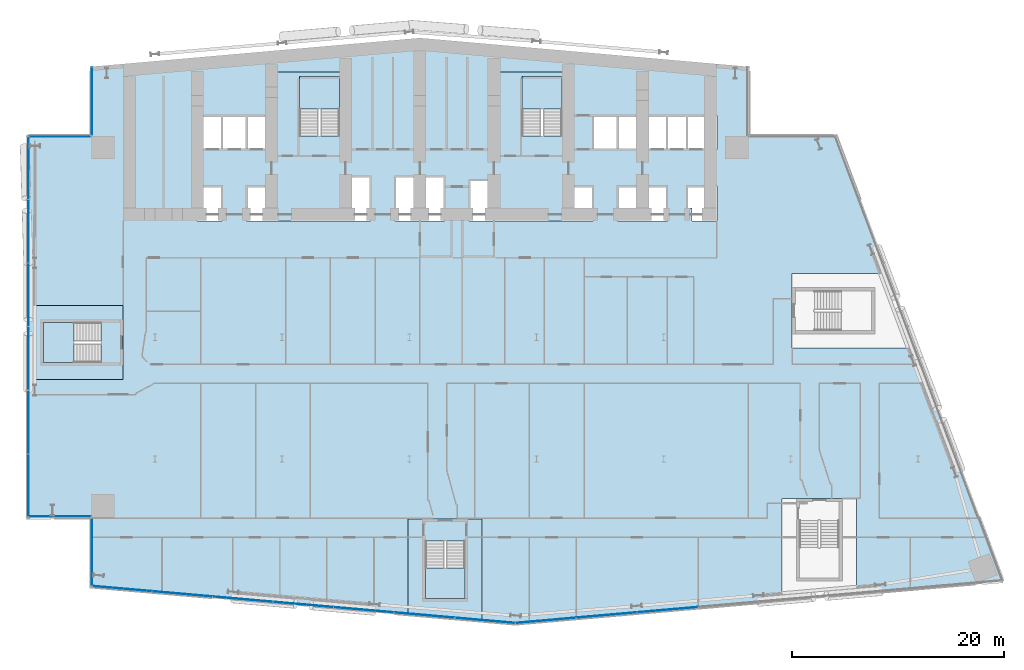
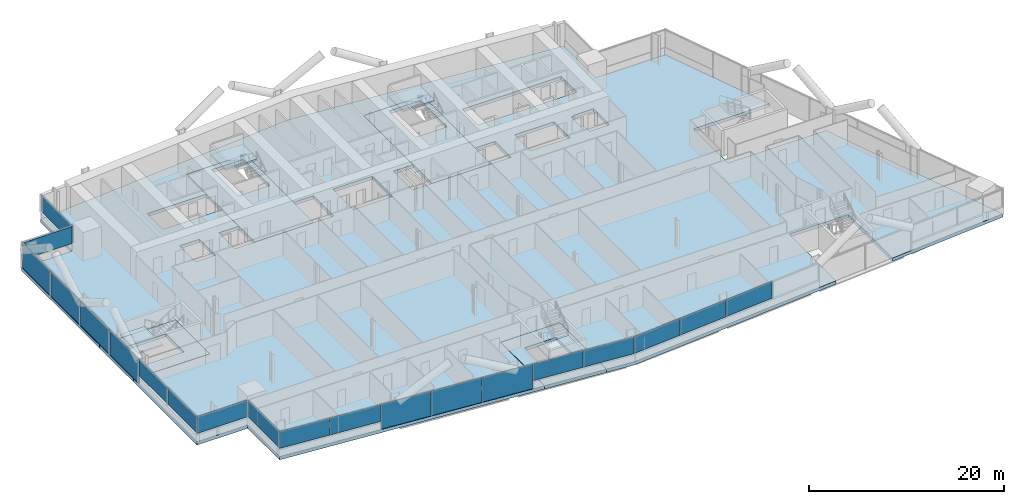
# One storey, part 11 of 28: 20 plates, 9 slabs, 11 elements without a shape of their own.
"""IFC4 building model written with IfcOpenShell, lengths in metres."""

from ifc_helpers import new_model, si_unit, direction, frame, origin, origin_2d, place, context, subcontext, project, spatial, polyline, rectangle, outline, extrude, material, layer, layer_set, type_object, element, aggregate, save


model = new_model("IFC4")

# Units and contexts
model_context = context("Model", 3, precision=1e-05, world=origin(), true_north=direction((0.0, 1.0)))
body_context = subcontext(model_context, "Body", "Model", "MODEL_VIEW")
ifc_project = project(units=[si_unit("LENGTHUNIT", "METRE"), si_unit("AREAUNIT", "SQUARE_METRE"), si_unit("VOLUMEUNIT", "CUBIC_METRE"), si_unit("PLANEANGLEUNIT", "RADIAN"), si_unit("MASSUNIT", "GRAM", prefix="KILO")], contexts=[model_context])

# Site, building, storey
site_placement = place(None, origin())
site = spatial("IfcSite", under=ifc_project, at=site_placement, CompositionType="ELEMENT")
building_placement = place(site_placement, origin())
building = spatial("IfcBuilding", under=site, at=building_placement, Name="Wharfspan Tower", CompositionType="ELEMENT")
storey_placement = place(building_placement, frame((0.0, 0.0, 52.300049)))
storey = spatial("IfcBuildingStorey", under=building, at=storey_placement, Name="L09", CompositionType="ELEMENT", Elevation=52.300049)

# Curtain wall, plates
ifc_material_1 = material(Name="Aluminium 6063-T6", Category="aluminium")
curtain_wall_type_1 = type_object("IfcCurtainWallType", Name="CURTAIN WALL FACETED FRONT", PredefinedType="NOTDEFINED", material=ifc_material_1)
curtain_wall_1_placement = place(storey_placement, origin())
curtain_wall_1 = element("IfcCurtainWall", 1, at=curtain_wall_1_placement, inside=storey, type_object=curtain_wall_type_1, Name="Curtain wall S1", PredefinedType="NOTDEFINED")
ifc_material_2 = material(Name="Glass clear low-iron double glazing", Category="glass")
ifc_layer_1 = layer(ifc_material_2, 0.040039)
ifc_layer_set_1 = layer_set([ifc_layer_1], Name="Glass clear low-iron double glazing")
plate_type_1 = type_object("IfcPlateType", Name="GLASS PANEL FACETED FRONT 40", PredefinedType="CURTAIN_PANEL", material=ifc_layer_set_1)
plate_1_placement = place(storey_placement, frame((8.877197, -0.716553, 1.0), z_axis=(0.0, 0.0, 1.0), x_axis=(0.996197, -0.087156, 0.0)))
plate_1 = element("IfcPlate", 2, at=plate_1_placement, type_object=plate_type_1, Name="Curtain wall S1 panel 1", PredefinedType="CURTAIN_PANEL", context=body_context, shape_type="SweptSolid", body=[
    extrude(rectangle(XDim=5.645996, YDim=0.040039, at=origin_2d()), origin(), (0.0, 0.0, 1.0), 2.120117),
])
plate_2_placement = place(storey_placement, frame((14.57666, -1.215088, 1.0), z_axis=(0.0, 0.0, 1.0), x_axis=(0.996197, -0.087156, 0.0)))
plate_2 = element("IfcPlate", 3, at=plate_2_placement, type_object=plate_type_1, Name="Curtain wall S1 panel 2", PredefinedType="CURTAIN_PANEL", context=body_context, shape_type="SweptSolid", body=[
    extrude(rectangle(XDim=5.676025, YDim=0.040039, at=origin_2d()), origin(), (0.0, 0.0, 1.0), 2.120117),
])
plate_3_placement = place(storey_placement, frame((37.433838, -3.214844, 1.0), z_axis=(0.0, 0.0, 1.0), x_axis=(0.996197, -0.087156, 0.0)))
plate_3 = element("IfcPlate", 4, at=plate_3_placement, type_object=plate_type_1, Name="Curtain wall S1 panel 6", PredefinedType="CURTAIN_PANEL", context=body_context, shape_type="SweptSolid", body=[
    extrude(rectangle(XDim=5.676025, YDim=0.040039, at=origin_2d()), origin(), (0.0, 0.0, 1.0), 2.120117),
])
plate_4_placement = place(storey_placement, frame((43.133057, -3.713379, 1.0), z_axis=(0.0, 0.0, 1.0), x_axis=(0.996197, -0.087156, 0.0)))
plate_4 = element("IfcPlate", 5, at=plate_4_placement, type_object=plate_type_1, Name="Curtain wall S1 panel 7", PredefinedType="CURTAIN_PANEL", context=body_context, shape_type="SweptSolid", body=[
    extrude(rectangle(XDim=5.645996, YDim=0.040039, at=origin_2d()), origin(), (0.0, 0.0, 1.0), 2.120117),
])

curtain_wall_2_placement = place(storey_placement, origin())
curtain_wall_2 = element("IfcCurtainWall", 6, at=curtain_wall_2_placement, inside=storey, type_object=curtain_wall_type_1, Name="Curtain wall S2", PredefinedType="NOTDEFINED")
plate_5_placement = place(storey_placement, frame((48.884766, -3.711914, 1.0), z_axis=(0.0, 0.0, 1.0), x_axis=(0.996197, 0.087156, 0.0)))
plate_5 = element("IfcPlate", 7, at=plate_5_placement, type_object=plate_type_1, Name="Curtain wall S2 panel 1", PredefinedType="CURTAIN_PANEL", context=body_context, shape_type="SweptSolid", body=[
    extrude(rectangle(XDim=5.681885, YDim=0.040039, at=origin_2d()), origin(), (0.0, 0.0, 1.0), 2.120117),
])
plate_6_placement = place(storey_placement, frame((54.619873, -3.210205, 1.0), z_axis=(0.0, 0.0, 1.0), x_axis=(0.996197, 0.087156, 0.0)))
plate_6 = element("IfcPlate", 8, at=plate_6_placement, type_object=plate_type_1, Name="Curtain wall S2 panel 2", PredefinedType="CURTAIN_PANEL", context=body_context, shape_type="SweptSolid", body=[
    extrude(rectangle(XDim=5.711914, YDim=0.040039, at=origin_2d()), origin(), (0.0, 0.0, 1.0), 2.120117),
])
plate_7_placement = place(storey_placement, frame((60.369873, -2.707031, 1.0), z_axis=(0.0, 0.0, 1.0), x_axis=(0.996197, 0.087156, 0.0)))
plate_7 = element("IfcPlate", 9, at=plate_7_placement, type_object=plate_type_1, Name="Curtain wall S2 panel 3", PredefinedType="CURTAIN_PANEL", context=body_context, shape_type="SweptSolid", body=[
    extrude(rectangle(XDim=5.711914, YDim=0.040039, at=origin_2d()), origin(), (0.0, 0.0, 1.0), 2.120117),
])
aggregate(curtain_wall_2, [plate_5, plate_6, plate_7])

# Curtain wall, plate
curtain_wall_type_2 = type_object("IfcCurtainWallType", Name="CURTAIN WALL PROW AND END", PredefinedType="NOTDEFINED", material=ifc_material_1)
curtain_wall_3_placement = place(storey_placement, origin())
curtain_wall_3 = element("IfcCurtainWall", 10, at=curtain_wall_3_placement, inside=storey, type_object=curtain_wall_type_2, Name="Curtain wall NRW-V", PredefinedType="NOTDEFINED")
ifc_layer_2 = layer(ifc_material_2, 0.040039)
ifc_layer_set_2 = layer_set([ifc_layer_2], Name="Glass clear low-iron double glazing")
plate_type_2 = type_object("IfcPlateType", Name="GLASS PANEL PROW AND END 40", PredefinedType="CURTAIN_PANEL", material=ifc_layer_set_2)
plate_8_placement = place(storey_placement, frame((6.080078, 45.262451, 1.0), z_axis=(0.0, 0.0, 1.0), x_axis=(0.0, -1.0, 0.0)))
plate_8 = element("IfcPlate", 11, at=plate_8_placement, type_object=plate_type_2, Name="Curtain wall NRW-V panel 1", PredefinedType="CURTAIN_PANEL", context=body_context, shape_type="SweptSolid", body=[
    extrude(rectangle(XDim=6.405029, YDim=0.040039, at=origin_2d()), origin(), (0.0, 0.0, 1.0), 2.120117),
])
aggregate(curtain_wall_3, [plate_8])

curtain_wall_4_placement = place(storey_placement, origin())
curtain_wall_4 = element("IfcCurtainWall", 12, at=curtain_wall_4_placement, inside=storey, type_object=curtain_wall_type_2, Name="Curtain wall NRW-H", PredefinedType="NOTDEFINED")
plate_9_placement = place(storey_placement, frame((3.0, 41.919922, 1.0), z_axis=(0.0, 0.0, 1.0), x_axis=(-1.0, 0.0, 0.0)))
plate_9 = element("IfcPlate", 13, at=plate_9_placement, type_object=plate_type_2, Name="Curtain wall NRW-H panel 1", PredefinedType="CURTAIN_PANEL", context=body_context, shape_type="SweptSolid", body=[
    extrude(rectangle(XDim=5.879883, YDim=0.040039, at=origin_2d()), origin(), (0.0, 0.0, 1.0), 2.120117),
])
aggregate(curtain_wall_4, [plate_9])

# Curtain wall, plates
curtain_wall_5_placement = place(storey_placement, origin())
curtain_wall_5 = element("IfcCurtainWall", 14, at=curtain_wall_5_placement, inside=storey, type_object=curtain_wall_type_2, Name="Curtain wall W", PredefinedType="NOTDEFINED")
plate_10_placement = place(storey_placement, frame((0.080078, 15.0, 1.0), z_axis=(0.0, 0.0, 1.0), x_axis=(0.0, -1.0, 0.0)))
plate_10 = element("IfcPlate", 15, at=plate_10_placement, type_object=plate_type_2, Name="Curtain wall W panel 5", PredefinedType="CURTAIN_PANEL", context=body_context, shape_type="SweptSolid", body=[
    extrude(rectangle(XDim=5.939941, YDim=0.040039, at=origin_2d()), origin(), (0.0, 0.0, 1.0), 2.120117),
])
plate_11_placement = place(storey_placement, frame((0.080078, 9.014893, 1.0), z_axis=(0.0, 0.0, 1.0), x_axis=(0.0, -1.0, 0.0)))
plate_11 = element("IfcPlate", 16, at=plate_11_placement, type_object=plate_type_2, Name="Curtain wall W panel 6", PredefinedType="CURTAIN_PANEL", context=body_context, shape_type="SweptSolid", body=[
    extrude(rectangle(XDim=5.909912, YDim=0.040039, at=origin_2d()), origin(), (0.0, 0.0, 1.0), 2.120117),
])

# Curtain wall, plate
curtain_wall_6_placement = place(storey_placement, origin())
curtain_wall_6 = element("IfcCurtainWall", 17, at=curtain_wall_6_placement, inside=storey, type_object=curtain_wall_type_2, Name="Curtain wall NFW-H", PredefinedType="NOTDEFINED")
plate_12_placement = place(storey_placement, frame((3.0, 6.080078, 1.0), z_axis=(0.0, 0.0, 1.0), x_axis=(1.0, 0.0, 0.0)))
plate_12 = element("IfcPlate", 18, at=plate_12_placement, type_object=plate_type_2, Name="Curtain wall NFW-H panel 1", PredefinedType="CURTAIN_PANEL", context=body_context, shape_type="SweptSolid", body=[
    extrude(rectangle(XDim=5.879883, YDim=0.040039, at=origin_2d()), origin(), (0.0, 0.0, 1.0), 2.120117),
])
aggregate(curtain_wall_6, [plate_12])

curtain_wall_7_placement = place(storey_placement, origin())
curtain_wall_7 = element("IfcCurtainWall", 19, at=curtain_wall_7_placement, inside=storey, type_object=curtain_wall_type_2, Name="Curtain wall NFW-V", PredefinedType="NOTDEFINED")
plate_13_placement = place(storey_placement, frame((6.080078, 2.737549, 1.0), z_axis=(0.0, 0.0, 1.0), x_axis=(0.0, -1.0, 0.0)))
plate_13 = element("IfcPlate", 20, at=plate_13_placement, type_object=plate_type_2, Name="Curtain wall NFW-V panel 1", PredefinedType="CURTAIN_PANEL", context=body_context, shape_type="SweptSolid", body=[
    extrude(rectangle(XDim=6.405029, YDim=0.040039, at=origin_2d()), origin(), (0.0, 0.0, 1.0), 2.120117),
])
aggregate(curtain_wall_7, [plate_13])

# Plate
ifc_material_3 = material(Name="Aluminium composite opaque insulated panel", Category="aluminium")
ifc_layer_3 = layer(ifc_material_3, 0.040039)
ifc_layer_set_3 = layer_set([ifc_layer_3], Name="Aluminium composite opaque insulated panel")
plate_type_3 = type_object("IfcPlateType", Name="INFILL PANEL FACETED FRONT OPAQUE 40", PredefinedType="SHEET", material=ifc_layer_set_3)
plate_14_placement = place(storey_placement, frame((20.291016, -1.715088, 0.0), z_axis=(0.0, 0.0, 1.0), x_axis=(0.996197, -0.087156, 0.0)))
plate_14 = element("IfcPlate", 21, at=plate_14_placement, type_object=plate_type_3, Name="Curtain wall S1 panel 3", PredefinedType="SHEET", context=body_context, shape_type="SweptSolid", body=[
    extrude(rectangle(XDim=5.676025, YDim=0.040039, at=origin_2d()), origin(), (0.0, 0.0, 1.0), 3.120117),
])

plate_15_placement = place(storey_placement, frame((26.005127, -2.214844, 0.0), z_axis=(0.0, 0.0, 1.0), x_axis=(0.996197, -0.087156, 0.0)))
plate_15 = element("IfcPlate", 22, at=plate_15_placement, type_object=plate_type_3, Name="Curtain wall S1 panel 4", PredefinedType="SHEET", context=body_context, shape_type="SweptSolid", body=[
    extrude(rectangle(XDim=5.676025, YDim=0.040039, at=origin_2d()), origin(), (0.0, 0.0, 1.0), 3.120117),
])

plate_16_placement = place(storey_placement, frame((31.719482, -2.714844, 0.0), z_axis=(0.0, 0.0, 1.0), x_axis=(0.996197, -0.087156, 0.0)))
plate_16 = element("IfcPlate", 23, at=plate_16_placement, type_object=plate_type_3, Name="Curtain wall S1 panel 5", PredefinedType="SHEET", context=body_context, shape_type="SweptSolid", body=[
    extrude(rectangle(XDim=5.676025, YDim=0.040039, at=origin_2d()), origin(), (0.0, 0.0, 1.0), 3.120117),
])

aggregate(curtain_wall_1, [plate_1, plate_2, plate_14, plate_15, plate_16, plate_3, plate_4])

ifc_layer_4 = layer(ifc_material_3, 0.040039)
ifc_layer_set_4 = layer_set([ifc_layer_4], Name="Aluminium composite opaque insulated panel")
plate_type_4 = type_object("IfcPlateType", Name="INFILL PANEL PROW AND END OPAQUE 40", PredefinedType="SHEET", material=ifc_layer_set_4)
plate_17_placement = place(storey_placement, frame((0.080078, 38.985107, 0.0), z_axis=(0.0, 0.0, 1.0), x_axis=(0.0, -1.0, 0.0)))
plate_17 = element("IfcPlate", 24, at=plate_17_placement, type_object=plate_type_4, Name="Curtain wall W panel 1", PredefinedType="SHEET", context=body_context, shape_type="SweptSolid", body=[
    extrude(rectangle(XDim=5.909912, YDim=0.040039, at=origin_2d()), origin(), (0.0, 0.0, 1.0), 3.120117),
])

plate_18_placement = place(storey_placement, frame((0.080078, 33.0, 0.0), z_axis=(0.0, 0.0, 1.0), x_axis=(0.0, -1.0, 0.0)))
plate_18 = element("IfcPlate", 25, at=plate_18_placement, type_object=plate_type_4, Name="Curtain wall W panel 2", PredefinedType="SHEET", context=body_context, shape_type="SweptSolid", body=[
    extrude(rectangle(XDim=5.939941, YDim=0.040039, at=origin_2d()), origin(), (0.0, 0.0, 1.0), 3.120117),
])

plate_19_placement = place(storey_placement, frame((0.080078, 27.0, 0.0), z_axis=(0.0, 0.0, 1.0), x_axis=(0.0, -1.0, 0.0)))
plate_19 = element("IfcPlate", 26, at=plate_19_placement, type_object=plate_type_4, Name="Curtain wall W panel 3", PredefinedType="SHEET", context=body_context, shape_type="SweptSolid", body=[
    extrude(rectangle(XDim=5.939941, YDim=0.040039, at=origin_2d()), origin(), (0.0, 0.0, 1.0), 3.120117),
])

plate_20_placement = place(storey_placement, frame((0.080078, 21.0, 0.0), z_axis=(0.0, 0.0, 1.0), x_axis=(0.0, -1.0, 0.0)))
plate_20 = element("IfcPlate", 27, at=plate_20_placement, type_object=plate_type_4, Name="Curtain wall W panel 4", PredefinedType="SHEET", context=body_context, shape_type="SweptSolid", body=[
    extrude(rectangle(XDim=5.939941, YDim=0.040039, at=origin_2d()), origin(), (0.0, 0.0, 1.0), 3.120117),
])

aggregate(curtain_wall_5, [plate_17, plate_18, plate_19, plate_20, plate_10, plate_11])

# Slabs
ifc_material_4 = material(Name="Concrete C40/50", Category="concrete")
ifc_layer_5 = layer(ifc_material_4, 0.399902)
ifc_layer_set_5 = layer_set([ifc_layer_5], Name="Concrete C40/50")
slab_type_1 = type_object("IfcSlabType", Name="Post-tensioned flat slab 400", PredefinedType="FLOOR", material=ifc_layer_set_5)
slab_1_placement = place(storey_placement, frame((0.0, 0.0, -0.400146)))
element("IfcSlab", 28, at=slab_1_placement, inside=storey, type_object=slab_type_1, Name="Floor slab L09", PredefinedType="FLOOR", context=body_context, shape_type="SweptSolid", body=[
    extrude(outline(polyline([(35.873291, -3.138428), (35.873291, 5.870605), (42.893311, 5.870605), (42.893311, -3.752686), (46.0, -4.024414), (71.182617, -1.821289), (71.182617, 7.802002), (78.202393, 7.802002), (78.202393, -1.207031), (92.0, 0.0), (83.753662, 21.98999), (72.11499, 21.98999), (72.11499, 29.01001), (81.121338, 29.01001), (76.25, 42.0), (68.0, 42.0), (68.0, 48.524902), (37.0, 51.237061), (6.0, 48.524902), (6.0, 42.0), (0.0, 42.0), (0.0, 26.01001), (9.01001, 26.01001), (9.01001, 18.98999), (0.0, 18.98999), (0.0, 6.0), (6.0, 6.0), (6.0, -0.524902), (35.873291, -3.138428)]), holes=[polyline([(62.290039, 37.159912), (62.656738, 37.159912), (62.656738, 37.26001), (65.01001, 37.26001), (65.01001, 33.98999), (62.656738, 33.98999), (62.656738, 35.189941), (62.290039, 35.189941), (62.290039, 37.159912)]), polyline([(65.01001, 43.909912), (65.01001, 40.689941), (53.323242, 40.689941), (53.323242, 43.909912), (65.01001, 43.909912)]), polyline([(55.656738, 33.98999), (55.656738, 37.26001), (60.343262, 37.26001), (60.343262, 33.98999), (55.656738, 33.98999)]), polyline([(43.98999, 37.860107), (43.98999, 48.01001), (51.01001, 48.01001), (51.01001, 37.26001), (53.343262, 37.26001), (53.343262, 33.98999), (41.656738, 33.98999), (41.656738, 37.860107), (43.98999, 37.860107)]), polyline([(34.656738, 33.98999), (34.656738, 38.159912), (39.343262, 38.159912), (39.343262, 33.98999), (34.656738, 33.98999)]), polyline([(15.98999, 40.689941), (15.98999, 43.909912), (20.656738, 43.909912), (20.676758, 43.909912), (22.98999, 43.909912), (22.98999, 48.01001), (30.01001, 48.01001), (30.01001, 38.159912), (32.343262, 38.159912), (32.343262, 33.98999), (20.656738, 33.98999), (20.656738, 37.26001), (22.98999, 37.26001), (22.98999, 40.689941), (20.676758, 40.689941), (20.656738, 40.689941), (15.98999, 40.689941)]), polyline([(18.343262, 37.26001), (18.343262, 33.98999), (15.98999, 33.98999), (15.98999, 37.26001), (18.343262, 37.26001)])]), origin(), (0.0, 0.0, 1.0), 0.400146),
])
slab_2_placement = place(storey_placement, frame((0.0, 0.0, -0.400146)))
element("IfcSlab", 29, at=slab_2_placement, inside=storey, type_object=slab_type_1, Name="Core floor slab L09 part 1", PredefinedType="FLOOR", context=body_context, shape_type="SweptSolid", body=[
    extrude(outline(polyline([(9.0, 20.324951), (9.0, 24.675049), (9.0, 26.0), (0.0, 26.0), (0.0, 19.0), (9.0, 19.0), (9.0, 20.324951)]), holes=[polyline([(6.9021, 20.625), (6.9021, 20.624756), (6.9021, 20.624512), (6.901855, 20.624512), (6.901855, 20.624268), (6.901855, 20.624023), (6.901611, 20.623779), (6.901611, 20.623779), (6.901367, 20.623535), (6.901367, 20.623535), (6.901123, 20.623291), (6.900879, 20.623291), (6.900879, 20.623291), (6.900635, 20.623047), (6.900391, 20.623047), (6.900146, 20.623047), (6.899902, 20.623047), (1.5, 20.623047), (1.499756, 20.623047), (1.499512, 20.623047), (1.499512, 20.623047), (1.499268, 20.623291), (1.499023, 20.623291), (1.498779, 20.623291), (1.498779, 20.623535), (1.498535, 20.623535), (1.498535, 20.623779), (1.498291, 20.623779), (1.498291, 20.624023), (1.498291, 20.624268), (1.498047, 20.624512), (1.498047, 20.624512), (1.498047, 20.624756), (1.498047, 20.625), (1.498047, 24.375), (1.498047, 24.375244), (1.498047, 24.375488), (1.498047, 24.375488), (1.498291, 24.375732), (1.498291, 24.375977), (1.498291, 24.376221), (1.498535, 24.376221), (1.498535, 24.376465), (1.498779, 24.376465), (1.498779, 24.376709), (1.499023, 24.376709), (1.499268, 24.376709), (1.499512, 24.376953), (1.499512, 24.376953), (1.499756, 24.376953), (1.5, 24.376953), (6.899902, 24.376953), (6.900146, 24.376953), (6.900391, 24.376953), (6.900635, 24.376953), (6.900879, 24.376709), (6.900879, 24.376709), (6.901123, 24.376709), (6.901367, 24.376465), (6.901367, 24.376465), (6.901611, 24.376221), (6.901611, 24.376221), (6.901855, 24.375977), (6.901855, 24.375732), (6.901855, 24.375488), (6.9021, 24.375488), (6.9021, 24.375244), (6.9021, 24.375), (6.9021, 20.625)])]), origin(), (0.0, 0.0, 1.0), 0.400146),
])
slab_3_placement = place(storey_placement, frame((0.0, 0.0, -0.400146)))
element("IfcSlab", 30, at=slab_3_placement, inside=storey, type_object=slab_type_1, Name="Core floor slab L09 part 2", PredefinedType="FLOOR", context=body_context, shape_type="SweptSolid", body=[
    extrude(outline(polyline([(20.664795, 34.0), (20.664795, 37.25), (20.664795, 37.250244), (20.664795, 37.250488), (20.664795, 37.250488), (20.664795, 37.250732), (20.664795, 37.250977), (20.665039, 37.251221), (20.665039, 37.251221), (20.665283, 37.251465), (20.665283, 37.251465), (20.665527, 37.251709), (20.665771, 37.251709), (20.666016, 37.251709), (20.666016, 37.251953), (20.66626, 37.251953), (20.666504, 37.251953), (20.666748, 37.251953), (23.0, 37.251953), (23.000244, 37.251953), (23.000488, 37.251953), (23.000488, 37.251953), (23.000732, 37.251709), (23.000977, 37.251709), (23.001221, 37.251709), (23.001221, 37.251465), (23.001465, 37.251465), (23.001465, 37.251221), (23.001709, 37.251221), (23.001709, 37.250977), (23.001709, 37.250732), (23.001953, 37.250488), (23.001953, 37.250488), (23.001953, 37.250244), (23.001953, 37.25), (23.001953, 34.0), (29.998047, 34.0), (29.998047, 38.149902), (29.998047, 38.150146), (29.998047, 38.150391), (29.998047, 38.150635), (29.998291, 38.150879), (29.998291, 38.150879), (29.998291, 38.151123), (29.998535, 38.151367), (29.998535, 38.151367), (29.998779, 38.151611), (29.998779, 38.151611), (29.999023, 38.151855), (29.999268, 38.151855), (29.999512, 38.151855), (29.999512, 38.1521), (29.999756, 38.1521), (30.0, 38.1521), (32.333252, 38.1521), (32.333496, 38.1521), (32.33374, 38.1521), (32.333984, 38.151855), (32.333984, 38.151855), (32.334229, 38.151855), (32.334473, 38.151611), (32.334717, 38.151611), (32.334717, 38.151367), (32.334961, 38.151367), (32.334961, 38.151123), (32.335205, 38.150879), (32.335205, 38.150879), (32.335205, 38.150635), (32.335205, 38.150391), (32.335205, 38.150146), (32.335205, 38.149902), (32.335205, 34.0), (32.341309, 34.0), (32.341309, 38.157959), (30.01001, 38.157959), (30.009766, 38.157959), (30.009521, 38.157959), (30.009521, 38.158203), (30.009277, 38.158203), (30.009033, 38.158203), (30.008789, 38.158203), (30.008789, 38.158447), (30.008545, 38.158691), (30.008545, 38.158691), (30.008301, 38.158936), (30.008301, 38.15918), (30.008301, 38.15918), (30.008057, 38.159424), (30.008057, 38.159668), (30.008057, 38.159912), (30.008057, 38.159912), (30.008057, 48.008057), (22.991943, 48.008057), (22.991943, 43.909912), (22.991943, 43.909912), (22.991943, 43.909668), (22.991943, 43.909424), (22.991699, 43.90918), (22.991699, 43.90918), (22.991699, 43.908936), (22.991455, 43.908691), (22.991455, 43.908691), (22.991211, 43.908447), (22.991211, 43.908203), (22.990967, 43.908203), (22.990723, 43.908203), (22.990479, 43.908203), (22.990479, 43.907959), (22.990234, 43.907959), (22.98999, 43.907959), (15.991943, 43.907959), (15.991943, 40.691895), (22.98999, 40.691895), (22.990234, 40.691895), (22.990479, 40.691895), (22.990479, 40.691895), (22.990723, 40.691895), (22.990967, 40.691895), (22.991211, 40.69165), (22.991211, 40.691406), (22.991455, 40.691406), (22.991455, 40.691406), (22.991699, 40.691162), (22.991699, 40.690918), (22.991699, 40.690918), (22.991943, 40.690674), (22.991943, 40.69043), (22.991943, 40.690186), (22.991943, 40.689941), (22.991943, 37.26001), (22.991943, 37.259766), (22.991943, 37.259521), (22.991943, 37.259521), (22.991699, 37.259277), (22.991699, 37.259033), (22.991699, 37.258789), (22.991455, 37.258789), (22.991455, 37.258545), (22.991211, 37.258545), (22.991211, 37.258301), (22.990967, 37.258301), (22.990723, 37.258301), (22.990479, 37.258057), (22.990479, 37.258057), (22.990234, 37.258057), (22.98999, 37.258057), (20.658691, 37.258057), (20.658691, 34.0), (20.664795, 34.0)]), holes=[polyline([(29.4021, 42.0), (29.4021, 41.999756), (29.4021, 41.999512), (29.401855, 41.999512), (29.401855, 41.999268), (29.401855, 41.999023), (29.401611, 41.998779), (29.401611, 41.998779), (29.401367, 41.998535), (29.401367, 41.998535), (29.401123, 41.998291), (29.400879, 41.998291), (29.400879, 41.998291), (29.400635, 41.998047), (29.400391, 41.998047), (29.400146, 41.998047), (29.399902, 41.998047), (25.649902, 41.998047), (25.649902, 41.998047), (25.649658, 41.998047), (25.649414, 41.998047), (25.64917, 41.998291), (25.64917, 41.998291), (25.648926, 41.998291), (25.648682, 41.998535), (25.648682, 41.998535), (25.648438, 41.998779), (25.648193, 41.998779), (25.648193, 41.999023), (25.648193, 41.999268), (25.648193, 41.999512), (25.647949, 41.999512), (25.647949, 41.999756), (25.647949, 42.0), (25.647949, 47.399902), (25.647949, 47.400146), (25.647949, 47.400391), (25.648193, 47.400635), (25.648193, 47.400879), (25.648193, 47.400879), (25.648193, 47.401123), (25.648438, 47.401367), (25.648682, 47.401367), (25.648682, 47.401611), (25.648926, 47.401611), (25.64917, 47.401855), (25.64917, 47.401855), (25.649414, 47.401855), (25.649658, 47.4021), (25.649902, 47.4021), (25.649902, 47.4021), (29.399902, 47.4021), (29.400146, 47.4021), (29.400391, 47.4021), (29.400635, 47.401855), (29.400879, 47.401855), (29.400879, 47.401855), (29.401123, 47.401611), (29.401367, 47.401611), (29.401367, 47.401367), (29.401611, 47.401367), (29.401611, 47.401123), (29.401855, 47.400879), (29.401855, 47.400879), (29.401855, 47.400635), (29.4021, 47.400391), (29.4021, 47.400146), (29.4021, 47.399902), (29.4021, 42.0)]), polyline([(16.0, 40.697998), (15.999756, 40.697998), (15.999512, 40.697998), (15.999512, 40.697998), (15.999268, 40.698242), (15.999023, 40.698242), (15.998779, 40.698242), (15.998779, 40.698486), (15.998535, 40.698486), (15.998535, 40.69873), (15.998291, 40.698975), (15.998291, 40.699219), (15.998291, 40.699219), (15.998047, 40.699463), (15.998047, 40.699707), (15.998047, 40.699707), (15.998047, 40.699951), (15.998047, 43.899902), (15.998047, 43.900146), (15.998047, 43.900391), (15.998047, 43.900635), (15.998291, 43.900879), (15.998291, 43.900879), (15.998291, 43.901123), (15.998535, 43.901367), (15.998535, 43.901367), (15.998779, 43.901611), (15.998779, 43.901611), (15.999023, 43.901855), (15.999268, 43.901855), (15.999512, 43.901855), (15.999512, 43.9021), (15.999756, 43.9021), (16.0, 43.9021), (20.666748, 43.9021), (20.666748, 43.9021), (23.0, 43.9021), (23.000244, 43.9021), (23.000488, 43.9021), (23.000488, 43.901855), (23.000732, 43.901855), (23.000977, 43.901855), (23.001221, 43.901611), (23.001221, 43.901611), (23.001465, 43.901367), (23.001465, 43.901367), (23.001709, 43.901123), (23.001709, 43.900879), (23.001709, 43.900879), (23.001953, 43.900635), (23.001953, 43.900391), (23.001953, 43.900146), (23.001953, 43.899902), (23.001953, 40.699951), (23.001953, 40.699707), (23.001953, 40.699707), (23.001953, 40.699463), (23.001709, 40.699219), (23.001709, 40.699219), (23.001709, 40.698975), (23.001465, 40.69873), (23.001465, 40.698486), (23.001221, 40.698486), (23.001221, 40.698242), (23.000977, 40.698242), (23.000732, 40.698242), (23.000488, 40.697998), (23.000488, 40.697998), (23.000244, 40.697998), (23.0, 40.697998), (20.666748, 40.697998), (20.666748, 40.697998), (16.0, 40.697998)])]), origin(), (0.0, 0.0, 1.0), 0.400146),
])
slab_4_placement = place(storey_placement, frame((0.0, 0.0, -0.400146)))
element("IfcSlab", 31, at=slab_4_placement, inside=storey, type_object=slab_type_1, Name="Core floor slab L09 part 3", PredefinedType="FLOOR", context=body_context, shape_type="SweptSolid", body=[
    extrude(outline(polyline([(41.55835, 5.860596), (37.208252, 5.860596), (35.883301, 5.860596), (35.883301, -3.139404), (42.883301, -3.751709), (42.883301, 5.860596), (41.55835, 5.860596)]), holes=[polyline([(37.506348, 3.760498), (37.506348, 3.760742), (37.506348, 3.760986), (37.506348, 3.76123), (37.506592, 3.761475), (37.506592, 3.761719), (37.506592, 3.761719), (37.506836, 3.761963), (37.506836, 3.761963), (37.50708, 3.762207), (37.50708, 3.762207), (37.507324, 3.762451), (37.507568, 3.762451), (37.507812, 3.762451), (37.507812, 3.762695), (37.508057, 3.762695), (37.508301, 3.762695), (41.258301, 3.762695), (41.258545, 3.762695), (41.258789, 3.762695), (41.258789, 3.762451), (41.259033, 3.762451), (41.259277, 3.762451), (41.259521, 3.762207), (41.259521, 3.762207), (41.259766, 3.761963), (41.26001, 3.761963), (41.26001, 3.761719), (41.26001, 3.761719), (41.260254, 3.761475), (41.260254, 3.76123), (41.260254, 3.760986), (41.260254, 3.760742), (41.260254, 3.760498), (41.260254, -1.639404), (41.260254, -1.639648), (41.260254, -1.639893), (41.260254, -1.639893), (41.260254, -1.640137), (41.26001, -1.640381), (41.26001, -1.640381), (41.26001, -1.640625), (41.259766, -1.640869), (41.259521, -1.640869), (41.259521, -1.641113), (41.259277, -1.641113), (41.259033, -1.641113), (41.258789, -1.641357), (41.258789, -1.641357), (41.258545, -1.641357), (41.258301, -1.641357), (37.508301, -1.641357), (37.508057, -1.641357), (37.507812, -1.641357), (37.507812, -1.641357), (37.507568, -1.641113), (37.507324, -1.641113), (37.50708, -1.641113), (37.50708, -1.640869), (37.506836, -1.640869), (37.506836, -1.640625), (37.506592, -1.640381), (37.506592, -1.640381), (37.506592, -1.640137), (37.506348, -1.639893), (37.506348, -1.639893), (37.506348, -1.639648), (37.506348, -1.639404), (37.506348, 3.760498)])]), origin(), (0.0, 0.0, 1.0), 0.400146),
])
slab_5_placement = place(storey_placement, frame((0.0, 0.0, -0.400146)))
element("IfcSlab", 32, at=slab_5_placement, inside=storey, type_object=slab_type_1, Name="Core floor slab L09 part 4", PredefinedType="FLOOR", context=body_context, shape_type="SweptSolid", body=[
    extrude(outline(polyline([(53.341309, 34.0), (53.341309, 37.258057), (51.01001, 37.258057), (51.009766, 37.258057), (51.009521, 37.258057), (51.009521, 37.258057), (51.009277, 37.258301), (51.009033, 37.258301), (51.008789, 37.258301), (51.008789, 37.258545), (51.008545, 37.258545), (51.008545, 37.258789), (51.008301, 37.258789), (51.008301, 37.259033), (51.008301, 37.259277), (51.008057, 37.259521), (51.008057, 37.259521), (51.008057, 37.259766), (51.008057, 37.26001), (51.008057, 48.008057), (43.991943, 48.008057), (43.991943, 37.860107), (43.991943, 37.859863), (43.991943, 37.859619), (43.991943, 37.859375), (43.991699, 37.859131), (43.991699, 37.859131), (43.991699, 37.858887), (43.991455, 37.858643), (43.991455, 37.858643), (43.991211, 37.858398), (43.991211, 37.858398), (43.990967, 37.858154), (43.990723, 37.858154), (43.990479, 37.858154), (43.990479, 37.85791), (43.990234, 37.85791), (43.98999, 37.85791), (41.658691, 37.85791), (41.658691, 34.0), (41.664795, 34.0), (41.664795, 37.850098), (41.664795, 37.850098), (41.664795, 37.850342), (41.664795, 37.850586), (41.664795, 37.85083), (41.664795, 37.85083), (41.665039, 37.851074), (41.665039, 37.851318), (41.665283, 37.851318), (41.665283, 37.851562), (41.665527, 37.851807), (41.665771, 37.851807), (41.666016, 37.851807), (41.666016, 37.851807), (41.66626, 37.852051), (41.666504, 37.852051), (41.666748, 37.852051), (44.0, 37.852051), (44.000244, 37.852051), (44.000488, 37.852051), (44.000488, 37.851807), (44.000732, 37.851807), (44.000977, 37.851807), (44.001221, 37.851807), (44.001221, 37.851562), (44.001465, 37.851318), (44.001465, 37.851318), (44.001709, 37.851074), (44.001709, 37.85083), (44.001709, 37.85083), (44.001953, 37.850586), (44.001953, 37.850342), (44.001953, 37.850098), (44.001953, 37.850098), (44.001953, 34.0), (50.998047, 34.0), (50.998047, 37.25), (50.998047, 37.250244), (50.998047, 37.250488), (50.998047, 37.250488), (50.998291, 37.250732), (50.998291, 37.250977), (50.998291, 37.251221), (50.998535, 37.251221), (50.998535, 37.251465), (50.998779, 37.251465), (50.998779, 37.251709), (50.999023, 37.251709), (50.999268, 37.251709), (50.999512, 37.251953), (50.999512, 37.251953), (50.999756, 37.251953), (51.0, 37.251953), (53.333252, 37.251953), (53.333496, 37.251953), (53.33374, 37.251953), (53.333984, 37.251953), (53.333984, 37.251709), (53.334229, 37.251709), (53.334473, 37.251709), (53.334717, 37.251465), (53.334717, 37.251465), (53.334961, 37.251221), (53.334961, 37.251221), (53.335205, 37.250977), (53.335205, 37.250732), (53.335205, 37.250488), (53.335205, 37.250488), (53.335205, 37.250244), (53.335205, 37.25), (53.335205, 34.0), (53.341309, 34.0)]), holes=[polyline([(46.649902, 41.998047), (46.649902, 41.998047), (46.649658, 41.998047), (46.649414, 41.998047), (46.64917, 41.998291), (46.64917, 41.998291), (46.648926, 41.998291), (46.648682, 41.998535), (46.648682, 41.998535), (46.648438, 41.998779), (46.648193, 41.998779), (46.648193, 41.999023), (46.648193, 41.999268), (46.648193, 41.999512), (46.647949, 41.999512), (46.647949, 41.999756), (46.647949, 42.0), (46.647949, 47.399902), (46.647949, 47.400146), (46.647949, 47.400391), (46.648193, 47.400635), (46.648193, 47.400879), (46.648193, 47.400879), (46.648193, 47.401123), (46.648438, 47.401367), (46.648682, 47.401367), (46.648682, 47.401611), (46.648926, 47.401611), (46.64917, 47.401855), (46.64917, 47.401855), (46.649414, 47.401855), (46.649658, 47.4021), (46.649902, 47.4021), (46.649902, 47.4021), (50.399902, 47.4021), (50.400146, 47.4021), (50.400391, 47.4021), (50.400635, 47.401855), (50.400879, 47.401855), (50.400879, 47.401855), (50.401123, 47.401611), (50.401367, 47.401611), (50.401367, 47.401367), (50.401611, 47.401367), (50.401611, 47.401123), (50.401855, 47.400879), (50.401855, 47.400879), (50.401855, 47.400635), (50.4021, 47.400391), (50.4021, 47.400146), (50.4021, 47.399902), (50.4021, 42.0), (50.4021, 41.999756), (50.4021, 41.999512), (50.401855, 41.999512), (50.401855, 41.999268), (50.401855, 41.999023), (50.401611, 41.998779), (50.401611, 41.998779), (50.401367, 41.998535), (50.401367, 41.998535), (50.401123, 41.998291), (50.400879, 41.998291), (50.400879, 41.998291), (50.400635, 41.998047), (50.400391, 41.998047), (50.400146, 41.998047), (50.399902, 41.998047), (46.649902, 41.998047)])]), origin(), (0.0, 0.0, 1.0), 0.400146),
])

# Stair, slab
stair_type = type_object("IfcStairType", Name="Half-turn stair 20 risers 180 mm", PredefinedType="HALF_TURN_STAIR", material=ifc_material_4)
stair_1_placement = place(storey_placement, origin())
stair_1 = element("IfcStair", 33, at=stair_1_placement, inside=storey, type_object=stair_type, Name="L09 stair ST1", PredefinedType="HALF_TURN_STAIR")
ifc_layer_6 = layer(ifc_material_4, 0.199951)
ifc_layer_set_6 = layer_set([ifc_layer_6], Name="Concrete C40/50")
slab_type_2 = type_object("IfcSlabType", Name="Stair landing 200", PredefinedType="LANDING", material=ifc_layer_set_6)
slab_6_placement = place(storey_placement, frame((0.0, 0.0, 1.599854)))
slab_6 = element("IfcSlab", 34, at=slab_6_placement, type_object=slab_type_2, Name="ST1 landing 1", PredefinedType="LANDING", context=body_context, shape_type="SweptSolid", body=[
    extrude(outline(polyline([(25.649902, 44.52002), (29.399902, 44.52002), (29.399902, 47.582764), (25.649902, 47.582764), (25.649902, 44.52002)])), origin(), (0.0, 0.0, 1.0), 0.200195),
])
aggregate(stair_1, [slab_6])

stair_2_placement = place(storey_placement, origin())
stair_2 = element("IfcStair", 35, at=stair_2_placement, inside=storey, type_object=stair_type, Name="L09 stair ST2", PredefinedType="HALF_TURN_STAIR")
slab_7_placement = place(storey_placement, frame((0.0, 0.0, 1.599854)))
slab_7 = element("IfcSlab", 36, at=slab_7_placement, type_object=slab_type_2, Name="ST2 landing 1", PredefinedType="LANDING", context=body_context, shape_type="SweptSolid", body=[
    extrude(outline(polyline([(46.649902, 44.52002), (50.399902, 44.52002), (50.399902, 47.582764), (46.649902, 47.582764), (46.649902, 44.52002)])), origin(), (0.0, 0.0, 1.0), 0.200195),
])
aggregate(stair_2, [slab_7])

stair_3_placement = place(storey_placement, origin())
stair_3 = element("IfcStair", 37, at=stair_3_placement, inside=storey, type_object=stair_type, Name="L09 stair ST3", PredefinedType="HALF_TURN_STAIR")
slab_8_placement = place(storey_placement, frame((0.0, 0.0, 1.599854)))
slab_8 = element("IfcSlab", 38, at=slab_8_placement, type_object=slab_type_2, Name="ST3 landing 1", PredefinedType="LANDING", context=body_context, shape_type="SweptSolid", body=[
    extrude(outline(polyline([(4.379883, 24.375), (1.5, 24.375), (1.5, 20.625), (4.379883, 20.625), (4.379883, 24.375)])), origin(), (0.0, 0.0, 1.0), 0.200195),
])
aggregate(stair_3, [slab_8])

stair_4_placement = place(storey_placement, origin())
stair_4 = element("IfcStair", 39, at=stair_4_placement, inside=storey, type_object=stair_type, Name="L09 stair ST4", PredefinedType="HALF_TURN_STAIR")
slab_9_placement = place(storey_placement, frame((0.0, 0.0, 1.599854)))
slab_9 = element("IfcSlab", 40, at=slab_9_placement, type_object=slab_type_2, Name="ST4 landing 1", PredefinedType="LANDING", context=body_context, shape_type="SweptSolid", body=[
    extrude(outline(polyline([(37.508301, 1.240723), (37.508301, -1.639404), (41.258301, -1.639404), (41.258301, 1.240723), (37.508301, 1.240723)])), origin(), (0.0, 0.0, 1.0), 0.200195),
])
aggregate(stair_4, [slab_9])

save(model, "model.ifc")
